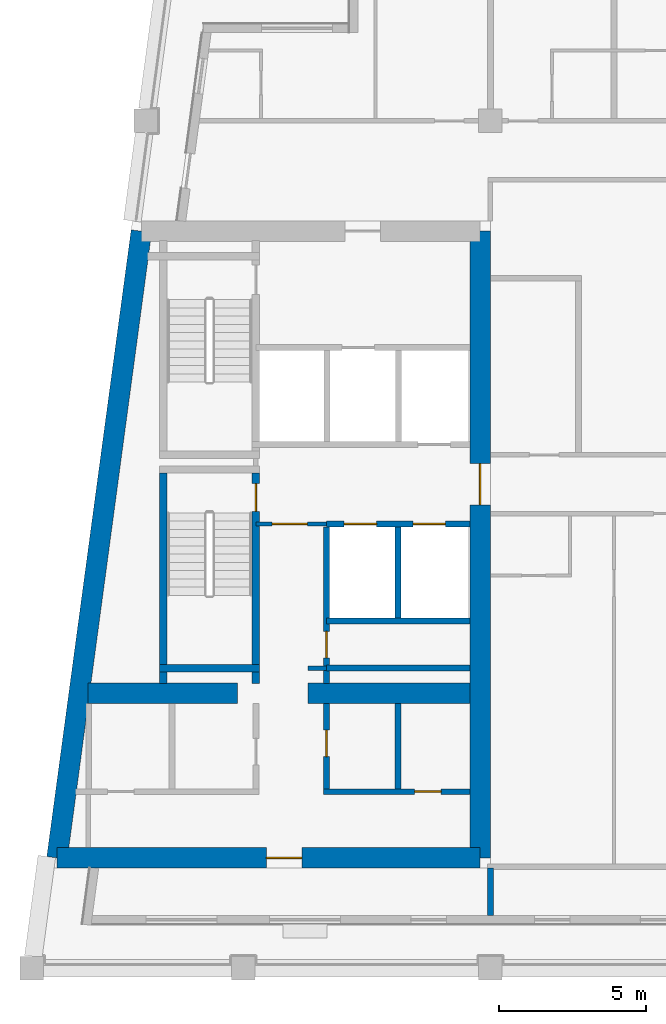
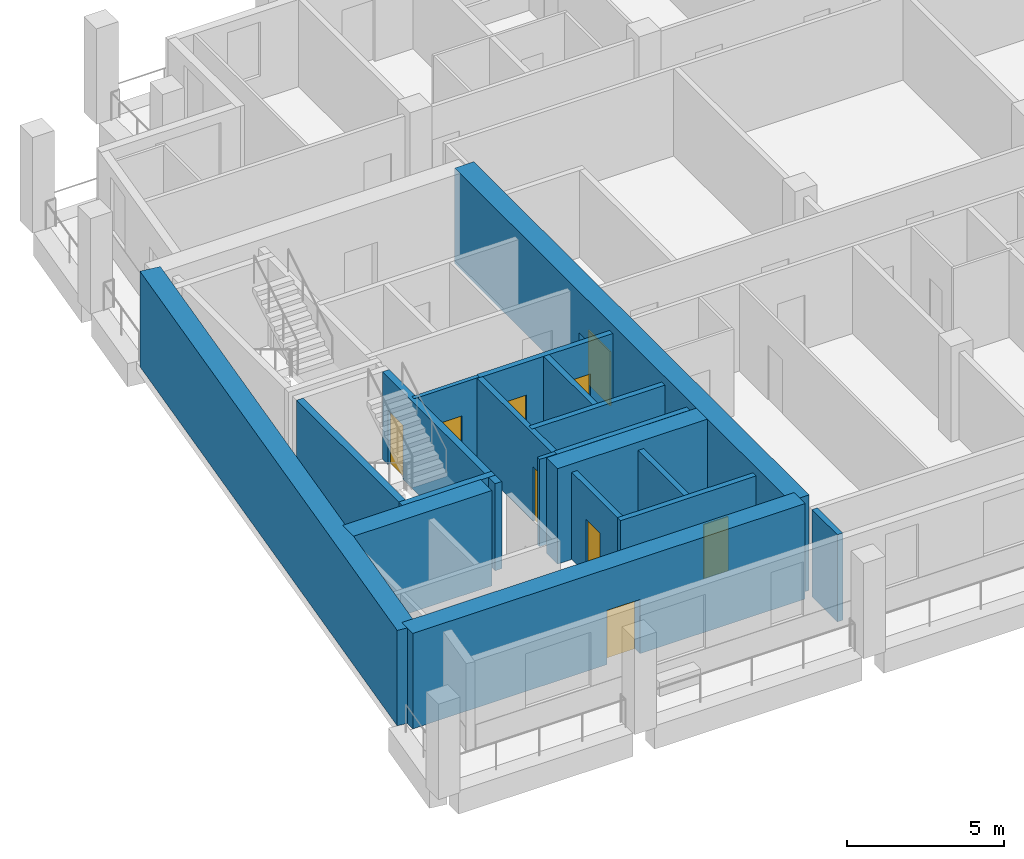
# One storey, part 2 of 14: 19 walls, 9 doors, 9 openings.
"""IFC4 building model written with IfcOpenShell, lengths in metres."""

from ifc_helpers import new_model, si_unit, direction, frame, frame_2d, origin, place, context, subcontext, project, spatial, rectangle, extrude, material, layer, layer_set, type_object, element, fill, save


model = new_model("IFC4")

# Units and contexts
model_context = context("Model", 3, precision=1e-05, world=origin(), true_north=direction((0.0, 1.0)))
body_context = subcontext(model_context, "Body", "Model", "MODEL_VIEW")
ifc_project = project(units=[si_unit("LENGTHUNIT", "METRE"), si_unit("AREAUNIT", "SQUARE_METRE"), si_unit("VOLUMEUNIT", "CUBIC_METRE"), si_unit("PLANEANGLEUNIT", "RADIAN"), si_unit("MASSUNIT", "GRAM", prefix="KILO")], contexts=[model_context])

# Site, building, storey
site_placement = place(None, origin())
site = spatial("IfcSite", under=ifc_project, at=site_placement, CompositionType="ELEMENT")
building_placement = place(site_placement, origin())
building = spatial("IfcBuilding", under=site, at=building_placement, Name="Candeia Pilgrim Tower and Theatre", CompositionType="ELEMENT")
storey_placement = place(building_placement, frame((0.0, 0.0, 273.800048828125)))
storey = spatial("IfcBuildingStorey", under=building, at=storey_placement, Name="L66", CompositionType="ELEMENT", Elevation=273.800048828125)

# Wall, opening, door
ifc_material_1 = material(Name="Concrete C40/50", Category="concrete")
ifc_layer_1 = layer(ifc_material_1, 0.699951171875)
ifc_layer_set_1 = layer_set([ifc_layer_1], Name="Core wall 700 C40/50")
wall_type_1 = type_object("IfcWallType", Name="Core wall 700 C40/50", PredefinedType="SHEAR", material=ifc_layer_set_1)
wall_1_placement = place(storey_placement, frame((100.449951171875, 132.050048828125, 0.0), z_axis=(0.0, 0.0, 1.0), x_axis=(0.0, -1.0, 0.0)))
wall_1 = element("IfcWall", 1, at=wall_1_placement, inside=storey, type_object=wall_type_1, Name="Core wall W2", PredefinedType="SHEAR", context=body_context, shape_type="SweptSolid", body=[
    extrude(rectangle(XDim=21.300048828125, YDim=0.699951171875, at=frame_2d((10.64990234375, 0.0))), origin(), (0.0, 0.0, 1.0), 3.699951171875),
])
opening_1_placement = place(wall_1_placement, frame((7.89990234375, 0.0, 0.0)))
opening_1 = element("IfcOpeningElement", 2, at=opening_1_placement, cuts=wall_1, Name="Opening L66-D049", PredefinedType="OPENING", context=body_context, shape_type="SweptSolid", body=[
    extrude(rectangle(XDim=1.39990234375, YDim=2.10009765625, at=frame_2d((0.699951171875, 1.050048828125))), frame((0.0, 0.35986328125, 0.0), z_axis=(0.0, -1.0, 0.0), x_axis=(1.0, 0.0, 0.0)), (0.0, 0.0, 1.0), 0.719970703125),
])
ifc_material_2 = material(Name="Steel fire door set", Category="steel")
door_type_1 = type_object("IfcDoorType", Name="D-1400-FD60", OperationType="NOTDEFINED", PredefinedType="DOOR", material=ifc_material_2)
door_1_placement = place(opening_1_placement, origin())
door_1 = element("IfcDoor", 3, at=door_1_placement, inside=storey, type_object=door_type_1, Name="Door L66-D049", OperationType="SINGLE_SWING_LEFT", OverallHeight=2.10009765625, OverallWidth=1.39990234375, PredefinedType="DOOR", context=body_context, shape_type="SweptSolid", body=[
    extrude(rectangle(XDim=1.39990234375, YDim=2.10009765625, at=frame_2d((0.699951171875, 1.050048828125))), frame((0.0, 0.02490234375, 0.0), z_axis=(0.0, -1.0, 0.0), x_axis=(1.0, 0.0, 0.0)), (0.0, 0.0, 1.0), 0.050048828125),
])
fill(opening_1, door_1)

wall_2_placement = place(storey_placement, frame((100.449951171875, 110.75, 0.0), z_axis=(0.0, 0.0, 1.0), x_axis=(-1.0, 0.0, 0.0)))
wall_2 = element("IfcWall", 4, at=wall_2_placement, inside=storey, type_object=wall_type_1, Name="Core wall W3", PredefinedType="SHEAR", context=body_context, shape_type="SweptSolid", body=[
    extrude(rectangle(XDim=14.38037109375, YDim=0.699951171875, at=frame_2d((7.190185546875, 0.0))), origin(), (0.0, 0.0, 1.0), 3.699951171875),
])
opening_2_placement = place(wall_2_placement, frame((6.060302734375, 0.0, 0.0)))
opening_2 = element("IfcOpeningElement", 5, at=opening_2_placement, cuts=wall_2, Name="Opening L66-D046", PredefinedType="OPENING", context=body_context, shape_type="SweptSolid", body=[
    extrude(rectangle(XDim=1.199951171875, YDim=2.10009765625, at=frame_2d((0.60009765625, 1.050048828125))), frame((0.0, 0.35986328125, 0.0), z_axis=(0.0, -1.0, 0.0), x_axis=(1.0, 0.0, 0.0)), (0.0, 0.0, 1.0), 0.719970703125),
])
door_type_2 = type_object("IfcDoorType", Name="D-1200-FD60", OperationType="NOTDEFINED", PredefinedType="DOOR", material=ifc_material_2)
door_2_placement = place(opening_2_placement, origin())
door_2 = element("IfcDoor", 6, at=door_2_placement, inside=storey, type_object=door_type_2, Name="Door L66-D046", OperationType="SINGLE_SWING_RIGHT", OverallHeight=2.10009765625, OverallWidth=1.199951171875, PredefinedType="DOOR", context=body_context, shape_type="SweptSolid", body=[
    extrude(rectangle(XDim=1.199951171875, YDim=2.10009765625, at=frame_2d((0.60009765625, 1.050048828125))), frame((0.0, 0.02490234375, 0.0), z_axis=(0.0, -1.0, 0.0), x_axis=(1.0, 0.0, 0.0)), (0.0, 0.0, 1.0), 0.050048828125),
])
fill(opening_2, door_2)

# Walls
wall_3_placement = place(storey_placement, frame((86.069580078125, 110.75, 0.0), z_axis=(0.0, 0.0, 1.0), x_axis=(0.133406218907, 0.991061441464, 0.0)))
element("IfcWall", 7, at=wall_3_placement, inside=storey, type_object=wall_type_1, Name="Core wall W4", PredefinedType="SHEAR", context=body_context, shape_type="SweptSolid", body=[
    extrude(rectangle(XDim=21.4921875, YDim=0.699951171875, at=frame_2d((10.74609375, 0.0))), origin(), (0.0, 0.0, 1.0), 3.699951171875),
])
wall_4_placement = place(storey_placement, frame((87.123046875, 116.35009765625, 0.0), z_axis=(0.0, 0.0, 1.0), x_axis=(1.0, 0.0, 0.0)))
element("IfcWall", 8, at=wall_4_placement, inside=storey, type_object=wall_type_1, Name="Core wall W5", PredefinedType="SHEAR", context=body_context, shape_type="SweptSolid", body=[
    extrude(rectangle(XDim=5.076904296875, YDim=0.699951171875, at=frame_2d((2.53857421875, 0.0))), origin(), (0.0, 0.0, 1.0), 3.699951171875),
])
wall_5_placement = place(storey_placement, frame((94.60009765625, 116.35009765625, 0.0), z_axis=(0.0, 0.0, 1.0), x_axis=(1.0, 0.0, 0.0)))
element("IfcWall", 9, at=wall_5_placement, inside=storey, type_object=wall_type_1, Name="Core wall W6", PredefinedType="SHEAR", context=body_context, shape_type="SweptSolid", body=[
    extrude(rectangle(XDim=5.5, YDim=0.699951171875, at=frame_2d((2.75, 0.0))), origin(), (0.0, 0.0, 1.0), 3.699951171875),
])
ifc_material_3 = material(Name="Gypsum board partition on steel studs", Category="steel")
ifc_layer_2 = layer(ifc_material_3, 0.14990234375)
ifc_layer_set_2 = layer_set([ifc_layer_2], Name="PW-150 lobby wall")
wall_type_2 = type_object("IfcWallType", Name="PW-150 lobby wall", PredefinedType="PARTITIONING", material=ifc_layer_set_2)
wall_6_placement = place(storey_placement, frame((94.60009765625, 117.199951171875, 0.0), z_axis=(0.0, 0.0, 1.0), x_axis=(1.0, 0.0, 0.0)))
element("IfcWall", 10, at=wall_6_placement, inside=storey, type_object=wall_type_2, Name="Lobby wall L66-008", PredefinedType="PARTITIONING", context=body_context, shape_type="SweptSolid", body=[
    extrude(rectangle(XDim=0.626953125, YDim=0.14990234375, at=frame_2d((0.3134765625, 0.0))), origin(), (0.0, 0.0, 1.0), 3.3798828125),
])

# Wall, opening, door
wall_7_placement = place(storey_placement, frame((92.826904296875, 122.10009765625, 0.0), z_axis=(0.0, 0.0, 1.0), x_axis=(1.0, 0.0, 0.0)))
wall_7 = element("IfcWall", 11, at=wall_7_placement, inside=storey, type_object=wall_type_2, Name="Lobby wall L66-021", PredefinedType="PARTITIONING", context=body_context, shape_type="SweptSolid", body=[
    extrude(rectangle(XDim=2.400146484375, YDim=0.14990234375, at=frame_2d((1.2001953125, 0.0))), origin(), (0.0, 0.0, 1.0), 3.3798828125),
])
opening_3_placement = place(wall_7_placement, frame((0.550048828125, 0.0, 0.0)))
opening_3 = element("IfcOpeningElement", 12, at=opening_3_placement, cuts=wall_7, Name="Opening L66-D001", PredefinedType="OPENING", context=body_context, shape_type="SweptSolid", body=[
    extrude(rectangle(XDim=1.199951171875, YDim=2.10009765625, at=frame_2d((0.60009765625, 1.050048828125))), frame((0.0, 0.0849609375, 0.0), z_axis=(0.0, -1.0, 0.0), x_axis=(1.0, 0.0, 0.0)), (0.0, 0.0, 1.0), 0.169921875),
])
door_3_placement = place(opening_3_placement, origin())
door_3 = element("IfcDoor", 13, at=door_3_placement, inside=storey, type_object=door_type_2, Name="Door L66-D001", OperationType="SINGLE_SWING_LEFT", OverallHeight=2.10009765625, OverallWidth=1.199951171875, PredefinedType="DOOR", context=body_context, shape_type="SweptSolid", body=[
    extrude(rectangle(XDim=1.199951171875, YDim=2.10009765625, at=frame_2d((0.60009765625, 1.050048828125))), frame((0.0, 0.02490234375, 0.0), z_axis=(0.0, -1.0, 0.0), x_axis=(1.0, 0.0, 0.0)), (0.0, 0.0, 1.0), 0.050048828125),
])
fill(opening_3, door_3)

# Wall
ifc_layer_3 = layer(ifc_material_3, 0.199951171875)
ifc_layer_set_3 = layer_set([ifc_layer_3], Name="PW-200 party wall")
wall_type_3 = type_object("IfcWallType", Name="PW-200 party wall", PredefinedType="PARTITIONING", material=ifc_layer_set_3)
wall_8_placement = place(storey_placement, frame((100.800048828125, 108.7900390625, 0.0), z_axis=(0.0, 0.0, 1.0), x_axis=(0.0, 1.0, 0.0)))
element("IfcWall", 14, at=wall_8_placement, inside=storey, type_object=wall_type_3, Name="Party wall L66-061", PredefinedType="PARTITIONING", context=body_context, shape_type="SweptSolid", body=[
    extrude(rectangle(XDim=1.60986328125, YDim=0.199951171875, at=frame_2d((0.804931640625, 0.0))), origin(), (0.0, 0.0, 1.0), 3.3798828125),
])

# Wall, opening, door
ifc_layer_4 = layer(ifc_material_1, 0.199951171875)
ifc_layer_set_4 = layer_set([ifc_layer_4], Name="SW-200 shaft wall")
wall_type_4 = type_object("IfcWallType", Name="SW-200 shaft wall", PredefinedType="PARTITIONING", material=ifc_layer_set_4)
wall_9_placement = place(storey_placement, frame((95.126953125, 113.0, 0.0), z_axis=(0.0, 0.0, 1.0), x_axis=(1.0, 0.0, 0.0)))
wall_9 = element("IfcWall", 15, at=wall_9_placement, inside=storey, type_object=wall_type_4, Name="Shaft wall L66-003", PredefinedType="PARTITIONING", context=body_context, shape_type="SweptSolid", body=[
    extrude(rectangle(XDim=4.97314453125, YDim=0.199951171875, at=frame_2d((2.486572265625, 0.0))), origin(), (0.0, 0.0, 1.0), 3.3798828125),
])
opening_4_placement = place(wall_9_placement, frame((3.095947265625, 0.0, 0.0)))
opening_4 = element("IfcOpeningElement", 16, at=opening_4_placement, cuts=wall_9, Name="Opening L66-D008", PredefinedType="OPENING", context=body_context, shape_type="SweptSolid", body=[
    extrude(rectangle(XDim=0.89990234375, YDim=2.10009765625, at=frame_2d((0.449951171875, 1.050048828125))), frame((0.0, 0.10986328125, 0.0), z_axis=(0.0, -1.0, 0.0), x_axis=(1.0, 0.0, 0.0)), (0.0, 0.0, 1.0), 0.219970703125),
])
door_type_3 = type_object("IfcDoorType", Name="D-900-FD60", OperationType="NOTDEFINED", PredefinedType="DOOR", material=ifc_material_2)
door_4_placement = place(opening_4_placement, origin())
door_4 = element("IfcDoor", 17, at=door_4_placement, inside=storey, type_object=door_type_3, Name="Door L66-D008", OperationType="SINGLE_SWING_RIGHT", OverallHeight=2.10009765625, OverallWidth=0.89990234375, PredefinedType="DOOR", context=body_context, shape_type="SweptSolid", body=[
    extrude(rectangle(XDim=0.89990234375, YDim=2.10009765625, at=frame_2d((0.449951171875, 1.050048828125))), frame((0.0, 0.02490234375, 0.0), z_axis=(0.0, -1.0, 0.0), x_axis=(1.0, 0.0, 0.0)), (0.0, 0.0, 1.0), 0.050048828125),
])
fill(opening_4, door_4)

# Walls
for number, where, z_axis, x_axis, name in (
    (18, (95.22705078125, 117.199951171875, 0.0), (0.0, 0.0, 1.0), (1.0, 0.0, 0.0), "Shaft wall L66-006"),
    (19, (95.22705078125, 118.800048828125, 0.0), (0.0, 0.0, 1.0), (1.0, 0.0, 0.0), "Shaft wall L66-012"),
):
    element("IfcWall", number, at=place(storey_placement, frame(where, z_axis=z_axis, x_axis=x_axis)), inside=storey, type_object=wall_type_4, Name=name, PredefinedType="PARTITIONING", context=body_context, shape_type="SweptSolid", body=[
        extrude(rectangle(XDim=4.873046875, YDim=0.199951171875, at=frame_2d((2.4365234375, 0.0))), origin(), (0.0, 0.0, 1.0), 3.3798828125),
    ])

# Wall, openings, doors
wall_10_placement = place(storey_placement, frame((95.22705078125, 122.10009765625, 0.0), z_axis=(0.0, 0.0, 1.0), x_axis=(1.0, 0.0, 0.0)))
wall_10 = element("IfcWall", 20, at=wall_10_placement, inside=storey, type_object=wall_type_4, Name="Shaft wall L66-019", PredefinedType="PARTITIONING", context=body_context, shape_type="SweptSolid", body=[
    extrude(rectangle(XDim=4.873046875, YDim=0.199951171875, at=frame_2d((2.4365234375, 0.0))), origin(), (0.0, 0.0, 1.0), 3.3798828125),
])
opening_5_placement = place(wall_10_placement, frame((0.60498046875, 0.0, 0.0)))
opening_5 = element("IfcOpeningElement", 21, at=opening_5_placement, cuts=wall_10, Name="Opening L66-LD01", PredefinedType="OPENING", context=body_context, shape_type="SweptSolid", body=[
    extrude(rectangle(XDim=1.10009765625, YDim=2.10009765625, at=frame_2d((0.550048828125, 1.050048828125))), frame((0.0, 0.10986328125, 0.0), z_axis=(0.0, -1.0, 0.0), x_axis=(1.0, 0.0, 0.0)), (0.0, 0.0, 1.0), 0.219970703125),
])
opening_6_placement = place(wall_10_placement, frame((2.946044921875, 0.0, 0.0)))
opening_6 = element("IfcOpeningElement", 22, at=opening_6_placement, cuts=wall_10, Name="Opening L66-LD02", PredefinedType="OPENING", context=body_context, shape_type="SweptSolid", body=[
    extrude(rectangle(XDim=1.10009765625, YDim=2.10009765625, at=frame_2d((0.550048828125, 1.050048828125))), frame((0.0, 0.10986328125, 0.0), z_axis=(0.0, -1.0, 0.0), x_axis=(1.0, 0.0, 0.0)), (0.0, 0.0, 1.0), 0.219970703125),
])
ifc_material_4 = material(Name="Glazed aluminium landing door", Category="aluminium")
door_type_4 = type_object("IfcDoorType", Name="LD-1100-EI120", OperationType="SLIDING_TO_LEFT", PredefinedType="DOOR", material=ifc_material_4)
door_5_placement = place(opening_5_placement, origin())
door_5 = element("IfcDoor", 23, at=door_5_placement, inside=storey, type_object=door_type_4, Name="Landing door 01 L66", OperationType="SLIDING_TO_LEFT", OverallHeight=2.10009765625, OverallWidth=1.10009765625, PredefinedType="DOOR", context=body_context, shape_type="SweptSolid", body=[
    extrude(rectangle(XDim=1.10009765625, YDim=2.10009765625, at=frame_2d((0.550048828125, 1.050048828125))), frame((0.0, 0.02490234375, 0.0), z_axis=(0.0, -1.0, 0.0), x_axis=(1.0, 0.0, 0.0)), (0.0, 0.0, 1.0), 0.050048828125),
])
fill(opening_5, door_5)
door_6_placement = place(opening_6_placement, origin())
door_6 = element("IfcDoor", 24, at=door_6_placement, inside=storey, type_object=door_type_4, Name="Landing door 02 L66", OperationType="SLIDING_TO_LEFT", OverallHeight=2.10009765625, OverallWidth=1.10009765625, PredefinedType="DOOR", context=body_context, shape_type="SweptSolid", body=[
    extrude(rectangle(XDim=1.10009765625, YDim=2.10009765625, at=frame_2d((0.550048828125, 1.050048828125))), frame((0.0, 0.02490234375, 0.0), z_axis=(0.0, -1.0, 0.0), x_axis=(1.0, 0.0, 0.0)), (0.0, 0.0, 1.0), 0.050048828125),
])
fill(opening_6, door_6)

# Wall, opening, door
wall_11_placement = place(storey_placement, frame((95.22705078125, 113.10009765625, 0.0), z_axis=(0.0, 0.0, 1.0), x_axis=(0.0, 1.0, 0.0)))
wall_11 = element("IfcWall", 25, at=wall_11_placement, inside=storey, type_object=wall_type_4, Name="Shaft wall L66-054", PredefinedType="PARTITIONING", context=body_context, shape_type="SweptSolid", body=[
    extrude(rectangle(XDim=2.89990234375, YDim=0.199951171875, at=frame_2d((1.449951171875, 0.0))), origin(), (0.0, 0.0, 1.0), 3.3798828125),
])
opening_7_placement = place(wall_11_placement, frame((1.090087890625, 0.0, 0.0)))
opening_7 = element("IfcOpeningElement", 26, at=opening_7_placement, cuts=wall_11, Name="Opening L66-D007", PredefinedType="OPENING", context=body_context, shape_type="SweptSolid", body=[
    extrude(rectangle(XDim=0.89990234375, YDim=2.10009765625, at=frame_2d((0.449951171875, 1.050048828125))), frame((0.0, 0.10986328125, 0.0), z_axis=(0.0, -1.0, 0.0), x_axis=(1.0, 0.0, 0.0)), (0.0, 0.0, 1.0), 0.219970703125),
])
door_7_placement = place(opening_7_placement, origin())
door_7 = element("IfcDoor", 27, at=door_7_placement, inside=storey, type_object=door_type_3, Name="Door L66-D007", OperationType="SINGLE_SWING_LEFT", OverallHeight=2.10009765625, OverallWidth=0.89990234375, PredefinedType="DOOR", context=body_context, shape_type="SweptSolid", body=[
    extrude(rectangle(XDim=0.89990234375, YDim=2.10009765625, at=frame_2d((0.449951171875, 1.050048828125))), frame((0.0, 0.02490234375, 0.0), z_axis=(0.0, -1.0, 0.0), x_axis=(1.0, 0.0, 0.0)), (0.0, 0.0, 1.0), 0.050048828125),
])
fill(opening_7, door_7)

wall_12_placement = place(storey_placement, frame((95.22705078125, 116.669921875, 0.0), z_axis=(0.0, 0.0, 1.0), x_axis=(0.0, 1.0, 0.0)))
wall_12 = element("IfcWall", 28, at=wall_12_placement, inside=storey, type_object=wall_type_4, Name="Shaft wall L66-055", PredefinedType="PARTITIONING", context=body_context, shape_type="SweptSolid", body=[
    extrude(rectangle(XDim=5.330078125, YDim=0.199951171875, at=frame_2d((2.6650390625, 0.0))), origin(), (0.0, 0.0, 1.0), 3.3798828125),
])
opening_8_placement = place(wall_12_placement, frame((0.8798828125, 0.0, 0.0)))
opening_8 = element("IfcOpeningElement", 29, at=opening_8_placement, cuts=wall_12, Name="Opening L66-D004", PredefinedType="OPENING", context=body_context, shape_type="SweptSolid", body=[
    extrude(rectangle(XDim=0.89990234375, YDim=2.10009765625, at=frame_2d((0.449951171875, 1.050048828125))), frame((0.0, 0.10986328125, 0.0), z_axis=(0.0, -1.0, 0.0), x_axis=(1.0, 0.0, 0.0)), (0.0, 0.0, 1.0), 0.219970703125),
])
door_8_placement = place(opening_8_placement, origin())
door_8 = element("IfcDoor", 30, at=door_8_placement, inside=storey, type_object=door_type_3, Name="Door L66-D004", OperationType="SINGLE_SWING_RIGHT", OverallHeight=2.10009765625, OverallWidth=0.89990234375, PredefinedType="DOOR", context=body_context, shape_type="SweptSolid", body=[
    extrude(rectangle(XDim=0.89990234375, YDim=2.10009765625, at=frame_2d((0.449951171875, 1.050048828125))), frame((0.0, 0.02490234375, 0.0), z_axis=(0.0, -1.0, 0.0), x_axis=(1.0, 0.0, 0.0)), (0.0, 0.0, 1.0), 0.050048828125),
])
fill(opening_8, door_8)

# Walls
wall_13_placement = place(storey_placement, frame((97.66357421875, 113.10009765625, 0.0), z_axis=(0.0, 0.0, 1.0), x_axis=(0.0, 1.0, 0.0)))
element("IfcWall", 31, at=wall_13_placement, inside=storey, type_object=wall_type_4, Name="Shaft wall L66-058", PredefinedType="PARTITIONING", context=body_context, shape_type="SweptSolid", body=[
    extrude(rectangle(XDim=2.89990234375, YDim=0.199951171875, at=frame_2d((1.449951171875, 0.0))), origin(), (0.0, 0.0, 1.0), 3.3798828125),
])
wall_14_placement = place(storey_placement, frame((97.66357421875, 118.89990234375, 0.0), z_axis=(0.0, 0.0, 1.0), x_axis=(0.0, 1.0, 0.0)))
element("IfcWall", 32, at=wall_14_placement, inside=storey, type_object=wall_type_4, Name="Shaft wall L66-059", PredefinedType="PARTITIONING", context=body_context, shape_type="SweptSolid", body=[
    extrude(rectangle(XDim=3.10009765625, YDim=0.199951171875, at=frame_2d((1.550048828125, 0.0))), origin(), (0.0, 0.0, 1.0), 3.3798828125),
])
ifc_layer_5 = layer(ifc_material_1, 0.25)
ifc_layer_set_5 = layer_set([ifc_layer_5], Name="SW-250 stair wall")
wall_type_5 = type_object("IfcWallType", Name="SW-250 stair wall", PredefinedType="PARTITIONING", material=ifc_layer_set_5)
wall_15_placement = place(storey_placement, frame((89.552001953125, 117.199951171875, 0.0), z_axis=(0.0, 0.0, 1.0), x_axis=(1.0, 0.0, 0.0)))
element("IfcWall", 33, at=wall_15_placement, inside=storey, type_object=wall_type_5, Name="Stair wall L66-010", PredefinedType="PARTITIONING", context=body_context, shape_type="SweptSolid", body=[
    extrude(rectangle(XDim=3.39990234375, YDim=0.25, at=frame_2d((1.699951171875, 0.0))), origin(), (0.0, 0.0, 1.0), 3.3798828125),
])
wall_16_placement = place(storey_placement, frame((89.677001953125, 116.669921875, 0.0), z_axis=(0.0, 0.0, 1.0), x_axis=(0.0, 1.0, 0.0)))
element("IfcWall", 34, at=wall_16_placement, inside=storey, type_object=wall_type_5, Name="Stair wall L66-046", PredefinedType="PARTITIONING", context=body_context, shape_type="SweptSolid", body=[
    extrude(rectangle(XDim=7.155029296875, YDim=0.25, at=frame_2d((3.57763671875, 0.0))), origin(), (0.0, 0.0, 1.0), 3.3798828125),
])

# Wall, opening, door
wall_17_placement = place(storey_placement, frame((92.826904296875, 116.669921875, 0.0), z_axis=(0.0, 0.0, 1.0), x_axis=(0.0, 1.0, 0.0)))
wall_17 = element("IfcWall", 35, at=wall_17_placement, inside=storey, type_object=wall_type_5, Name="Stair wall L66-051", PredefinedType="PARTITIONING", context=body_context, shape_type="SweptSolid", body=[
    extrude(rectangle(XDim=7.155029296875, YDim=0.25, at=frame_2d((3.57763671875, 0.0))), origin(), (0.0, 0.0, 1.0), 3.3798828125),
])
opening_9_placement = place(wall_17_placement, frame((5.85498046875, 0.0, 0.0)))
opening_9 = element("IfcOpeningElement", 36, at=opening_9_placement, cuts=wall_17, Name="Opening L66-D002", PredefinedType="OPENING", context=body_context, shape_type="SweptSolid", body=[
    extrude(rectangle(XDim=0.949951171875, YDim=2.10009765625, at=frame_2d((0.47509765625, 1.050048828125))), frame((0.0, 0.135009765625, 0.0), z_axis=(0.0, -1.0, 0.0), x_axis=(1.0, 0.0, 0.0)), (0.0, 0.0, 1.0), 0.27001953125),
])
door_type_5 = type_object("IfcDoorType", Name="D-950-FD60", OperationType="NOTDEFINED", PredefinedType="DOOR", material=ifc_material_2)
door_9_placement = place(opening_9_placement, origin())
door_9 = element("IfcDoor", 37, at=door_9_placement, inside=storey, type_object=door_type_5, Name="Door L66-D002", OperationType="SINGLE_SWING_RIGHT", OverallHeight=2.10009765625, OverallWidth=0.949951171875, PredefinedType="DOOR", context=body_context, shape_type="SweptSolid", body=[
    extrude(rectangle(XDim=0.949951171875, YDim=2.10009765625, at=frame_2d((0.47509765625, 1.050048828125))), frame((0.0, 0.02490234375, 0.0), z_axis=(0.0, -1.0, 0.0), x_axis=(1.0, 0.0, 0.0)), (0.0, 0.0, 1.0), 0.050048828125),
])
fill(opening_9, door_9)

save(model, "model.ifc")
